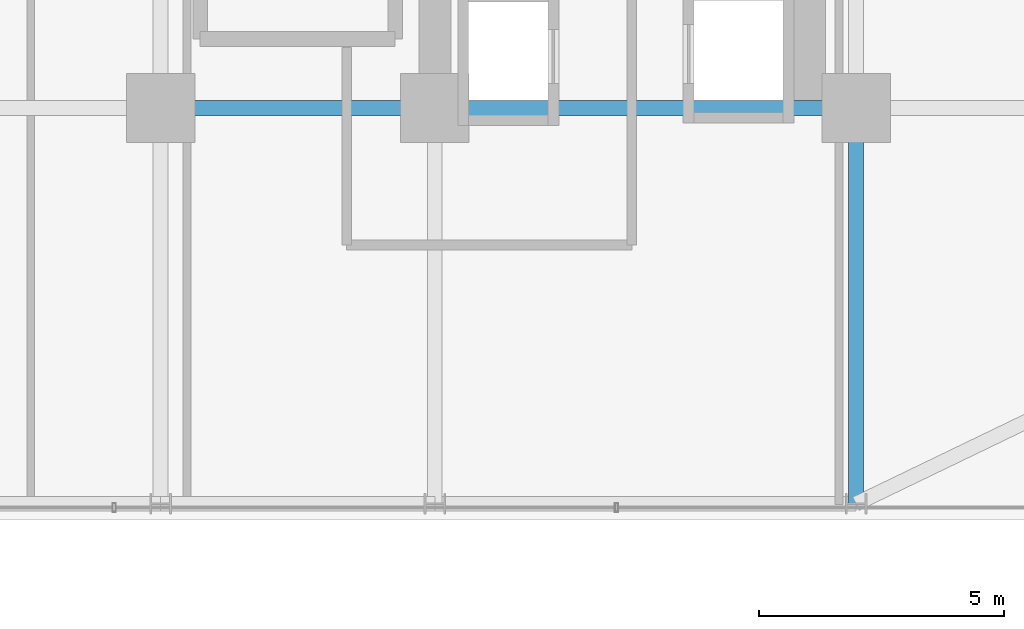
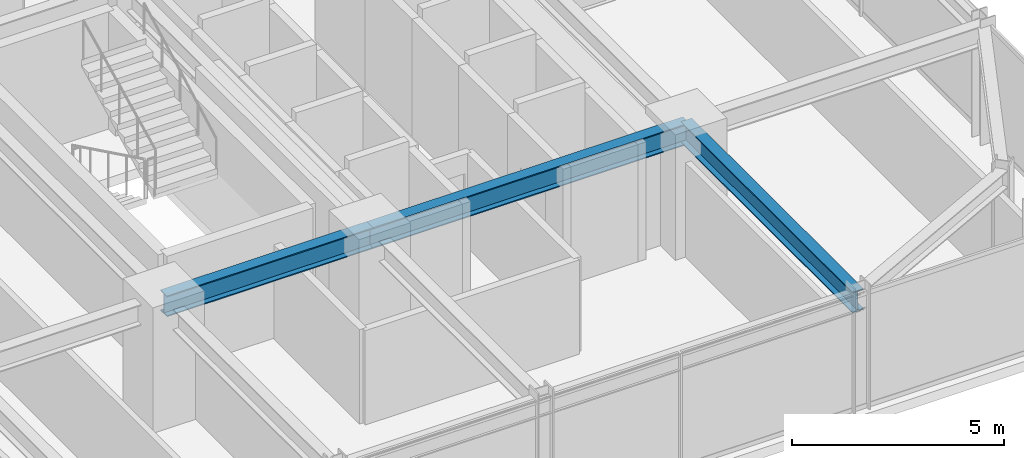
# One storey, part 13 of 37: 3 beams.
"""IFC4 building model written with IfcOpenShell, lengths in metres."""

from ifc_helpers import new_model, si_unit, direction, frame, origin, origin_2d, place, context, subcontext, project, spatial, i_section, extrude, source, transform, mapped, material, material_profile, profile_set, type_object, element, save


model = new_model("IFC4")

# Units and contexts
model_context = context("Model", 3, precision=1e-05, world=origin(), true_north=direction((0.0, 1.0)))
body_context = subcontext(model_context, "Body", "Model", "MODEL_VIEW")
ifc_project = project(units=[si_unit("LENGTHUNIT", "METRE"), si_unit("AREAUNIT", "SQUARE_METRE"), si_unit("VOLUMEUNIT", "CUBIC_METRE"), si_unit("PLANEANGLEUNIT", "RADIAN"), si_unit("MASSUNIT", "GRAM", prefix="KILO")], contexts=[model_context])

# Site, building, storey
site_placement = place(None, origin())
site = spatial("IfcSite", under=ifc_project, at=site_placement, CompositionType="ELEMENT")
building_placement = place(site_placement, origin())
building = spatial("IfcBuilding", under=site, at=building_placement, Name="Nahalor Promenade Grand Hotel", CompositionType="ELEMENT")
storey_placement = place(building_placement, frame((0.0, 0.0, 36.050048828125)))
storey = spatial("IfcBuildingStorey", under=building, at=storey_placement, Name="L07", CompositionType="ELEMENT", Elevation=36.050048828125)

# Beams
ifc_material = material(Name="Steel S355JR", Category="steel")
ifc_material_profile = material_profile(ifc_material, i_section(OverallWidth=0.3, OverallDepth=0.6, WebThickness=0.0155, FlangeThickness=0.03, at=origin_2d()), Name="HEB 600")
ifc_profile_set = profile_set([ifc_material_profile], Name="Steel S355JR")
beam_type = type_object("IfcBeamType", Name="Beam-Girder-HEB600", PredefinedType="BEAM", material=ifc_profile_set)
shared_shape_1 = source(origin(), body_context, "Body", "SweptSolid", [
    extrude(i_section(OverallWidth=0.3, OverallDepth=0.6, WebThickness=0.0155, FlangeThickness=0.03, at=origin_2d()), origin(), (0.0, 0.0, 1.0), 8.60009765625),
])
beam_1_placement = place(storey_placement, frame((8.39990234375, -17.0, 3.070068359375), z_axis=(1.0, 0.0, 0.0), x_axis=(0.0, 1.0, 0.0)))
element("IfcBeam", 1, at=beam_1_placement, inside=storey, type_object=beam_type, Name="BM-L07-GX-0-5", PredefinedType="BEAM", context=body_context, shape_type="MappedRepresentation", body=[
    mapped(shared_shape_1, transform((0.0, 0.0, 0.0), scale=1.0)),
])
shared_shape_2 = source(origin(), body_context, "Body", "SweptSolid", [
    extrude(i_section(OverallWidth=0.3, OverallDepth=0.6, WebThickness=0.0155, FlangeThickness=0.03, at=origin_2d()), origin(), (0.0, 0.0, 1.0), 5.599853515625),
])
beam_2_placement = place(storey_placement, frame((2.800048828125, -17.0, 3.070068359375), z_axis=(1.0, 0.0, 0.0), x_axis=(0.0, 1.0, 0.0)))
element("IfcBeam", 2, at=beam_2_placement, inside=storey, type_object=beam_type, Name="BM-L07-GX-0-4", PredefinedType="BEAM", context=body_context, shape_type="MappedRepresentation", body=[
    mapped(shared_shape_2, transform((0.0, 0.0, 0.0), scale=1.0)),
])
shared_shape_3 = source(origin(), body_context, "Body", "SweptSolid", [
    extrude(i_section(OverallWidth=0.3, OverallDepth=0.6, WebThickness=0.0155, FlangeThickness=0.03, at=origin_2d()), origin(), (0.0, 0.0, 1.0), 8.080078125),
])
beam_3_placement = place(storey_placement, frame((17.0, -25.080078125, 3.070068359375), z_axis=(0.0, 1.0, 0.0), x_axis=(-1.0, 0.0, 0.0)))
element("IfcBeam", 3, at=beam_3_placement, inside=storey, type_object=beam_type, Name="BM-L07-GY-5-0", PredefinedType="BEAM", context=body_context, shape_type="MappedRepresentation", body=[
    mapped(shared_shape_3, transform((0.0, 0.0, 0.0), scale=1.0)),
])

save(model, "model.ifc")
